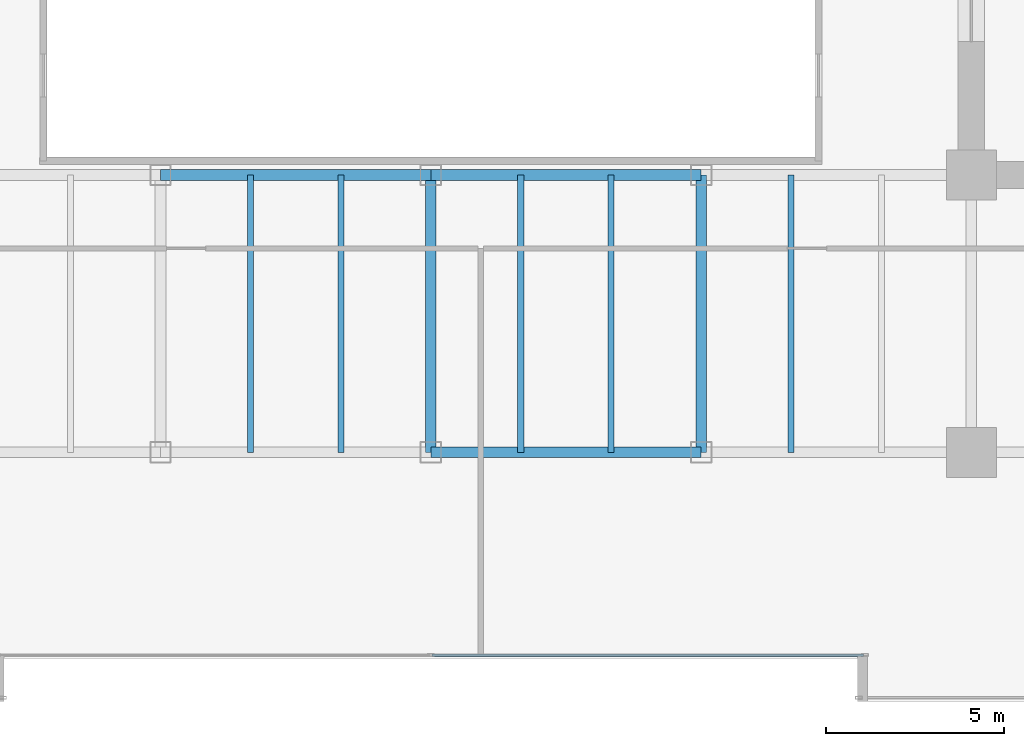
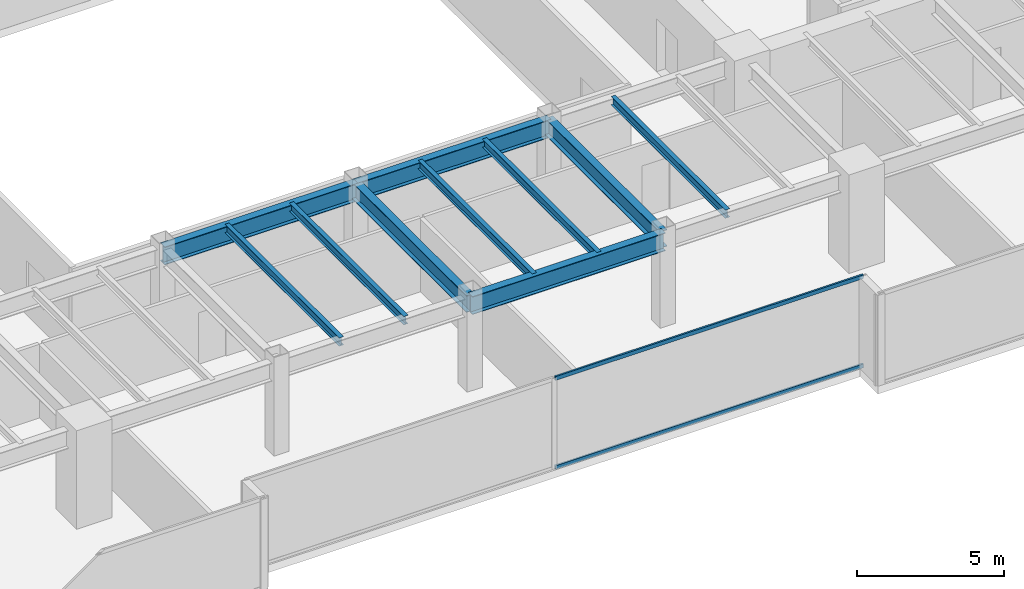
# One storey, part 9 of 35: 10 beams, 2 members, 1 element without a shape of its own.
"""IFC4 building model written with IfcOpenShell, lengths in metres."""

from ifc_helpers import new_model, si_unit, direction, frame, origin, origin_2d, place, context, subcontext, project, spatial, hollow_rectangle, i_section, extrude, source, transform, mapped, material, layer, layer_set, material_profile, profile_set, type_object, type_shapes, element, aggregate, save


model = new_model("IFC4")

# Units and contexts
model_context = context("Model", 3, precision=1e-05, world=origin(), true_north=direction((0.0, 1.0)))
body_context = subcontext(model_context, "Body", "Model", "MODEL_VIEW")
ifc_project = project(units=[si_unit("LENGTHUNIT", "METRE"), si_unit("AREAUNIT", "SQUARE_METRE"), si_unit("VOLUMEUNIT", "CUBIC_METRE"), si_unit("PLANEANGLEUNIT", "RADIAN"), si_unit("MASSUNIT", "GRAM", prefix="KILO")], contexts=[model_context])

# Site, building, storey
site_placement = place(None, origin())
site = spatial("IfcSite", under=ifc_project, at=site_placement, CompositionType="ELEMENT")
building_placement = place(site_placement, origin())
building = spatial("IfcBuilding", under=site, at=building_placement, Name="Haelvirn Gate Laboratories", CompositionType="ELEMENT")
storey_placement = place(building_placement, frame((0.0, 0.0, 45.699951171875)))
storey = spatial("IfcBuildingStorey", under=building, at=storey_placement, Name="L11", CompositionType="ELEMENT", Elevation=45.699951171875)

# Beams
ifc_material_1 = material(Name="Steel SM355", Category="steel")
ifc_material_profile_1 = material_profile(ifc_material_1, i_section(OverallWidth=0.300048828125, OverallDepth=0.699951171875, WebThickness=0.012939453125, FlangeThickness=0.02392578125, at=origin_2d()), Name="H-700x300x13x24")
ifc_profile_set_1 = profile_set([ifc_material_profile_1], Name="Steel SM355")
beam_type_1 = type_object("IfcBeamType", Name="BM-G-700", PredefinedType="BEAM", material=ifc_profile_set_1)
shared_shape_1 = source(origin(), body_context, "Body", "SweptSolid", [
    extrude(i_section(OverallWidth=0.300048828125, OverallDepth=0.699951171875, WebThickness=0.012939453125, FlangeThickness=0.02392578125, at=origin_2d()), origin(), (0.0, 0.0, 1.0), 7.800048828125),
])
type_shapes(beam_type_1, [shared_shape_1])
for number, where, z_axis, x_axis, name in (
    (1, (37.39990234375, 7.0, 3.429931640625), (0.0, 1.0, 0.0), (-1.0, 0.0, 0.0), "L11 Frame Girder X37.4 (7.0-14.8)"),
    (2, (45.0, 7.0, 3.429931640625), (0.0, 1.0, 0.0), (-1.0, 0.0, 0.0), "L11 Frame Girder X45.0 (7.0-14.8)"),
):
    element("IfcBeam", number, at=place(storey_placement, frame(where, z_axis=z_axis, x_axis=x_axis)), inside=storey, type_object=beam_type_1, Name=name, PredefinedType="BEAM", context=body_context, shape_type="MappedRepresentation", body=[
        mapped(shared_shape_1, transform((0.0, 0.0, 0.0), scale=1.0)),
    ])
ifc_material_profile_2 = material_profile(ifc_material_1, i_section(OverallWidth=0.300048828125, OverallDepth=0.75, WebThickness=0.013916015625, FlangeThickness=0.02392578125, at=origin_2d()), Name="H-750x300x14x24")
ifc_profile_set_2 = profile_set([ifc_material_profile_2], Name="Steel SM355")
beam_type_2 = type_object("IfcBeamType", Name="BM-G-750", PredefinedType="BEAM", material=ifc_profile_set_2)
shared_shape_2 = source(origin(), body_context, "Body", "SweptSolid", [
    extrude(i_section(OverallWidth=0.300048828125, OverallDepth=0.75, WebThickness=0.013916015625, FlangeThickness=0.02392578125, at=origin_2d()), origin(), (0.0, 0.0, 1.0), 7.60009765625),
])
for number, where, z_axis, x_axis, name in (
    (3, (37.39990234375, 7.0, 3.405029296875), (1.0, 0.0, 0.0), (0.0, 1.0, 0.0), "L11 Primary Girder Y7.0 (37.4-45.0)"),
    (4, (37.39990234375, 14.800048828125, 3.405029296875), (1.0, 0.0, 0.0), (0.0, 1.0, 0.0), "L11 Primary Girder Y14.8 (37.4-45.0)"),
):
    element("IfcBeam", number, at=place(storey_placement, frame(where, z_axis=z_axis, x_axis=x_axis)), inside=storey, type_object=beam_type_2, Name=name, PredefinedType="BEAM", context=body_context, shape_type="MappedRepresentation", body=[
        mapped(shared_shape_2, transform((0.0, 0.0, 0.0), scale=1.0)),
    ])
shared_shape_3 = source(origin(), body_context, "Body", "SweptSolid", [
    extrude(i_section(OverallWidth=0.300048828125, OverallDepth=0.75, WebThickness=0.013916015625, FlangeThickness=0.02392578125, at=origin_2d()), origin(), (0.0, 0.0, 1.0), 7.599853515625),
])
type_shapes(beam_type_2, [shared_shape_2, shared_shape_3])
beam_placement = place(storey_placement, frame((29.800048828125, 14.800048828125, 3.405029296875), z_axis=(1.0, 0.0, 0.0), x_axis=(0.0, 1.0, 0.0)))
element("IfcBeam", 5, at=beam_placement, inside=storey, type_object=beam_type_2, Name="L11 Primary Girder Y14.8 (29.8-37.4)", PredefinedType="BEAM", context=body_context, shape_type="MappedRepresentation", body=[
    mapped(shared_shape_3, transform((0.0, 0.0, 0.0), scale=1.0)),
])
ifc_material_profile_3 = material_profile(ifc_material_1, i_section(OverallWidth=0.175048828125, OverallDepth=0.35009765625, WebThickness=0.007080078125, FlangeThickness=0.010986328125, at=origin_2d()), Name="H-350x175x7x11")
ifc_profile_set_3 = profile_set([ifc_material_profile_3], Name="Steel SM355")
beam_type_3 = type_object("IfcBeamType", Name="BM-J-350", PredefinedType="JOIST", material=ifc_profile_set_3)
shared_shape_4 = source(origin(), body_context, "Body", "SweptSolid", [
    extrude(i_section(OverallWidth=0.175048828125, OverallDepth=0.35009765625, WebThickness=0.007080078125, FlangeThickness=0.010986328125, at=origin_2d()), origin(), (0.0, 0.0, 1.0), 7.800048828125),
])
type_shapes(beam_type_3, [shared_shape_4])
for number, where, z_axis, x_axis, name in (
    (6, (32.330078125, 7.0, 3.60498046875), (0.0, 1.0, 0.0), (-1.0, 0.0, 0.0), "L11 Composite Lab Joist South X32.33"),
    (7, (34.8701171875, 7.0, 3.60498046875), (0.0, 1.0, 0.0), (-1.0, 0.0, 0.0), "L11 Composite Lab Joist South X34.87"),
    (8, (39.929931640625, 7.0, 3.60498046875), (0.0, 1.0, 0.0), (-1.0, 0.0, 0.0), "L11 Composite Lab Joist South X39.93"),
    (9, (42.469970703125, 7.0, 3.60498046875), (0.0, 1.0, 0.0), (-1.0, 0.0, 0.0), "L11 Composite Lab Joist South X42.47"),
    (10, (47.530029296875, 7.0, 3.60498046875), (0.0, 1.0, 0.0), (-1.0, 0.0, 0.0), "L11 Composite Lab Joist South X47.53"),
):
    element("IfcBeam", number, at=place(storey_placement, frame(where, z_axis=z_axis, x_axis=x_axis)), inside=storey, type_object=beam_type_3, Name=name, PredefinedType="JOIST", context=body_context, shape_type="MappedRepresentation", body=[
        mapped(shared_shape_4, transform((0.0, 0.0, 0.0), scale=1.0)),
    ])

# Curtain wall, members
ifc_material_2 = material(Name="Anodised bronze unitised aluminium & triple low-E glass", Category="aluminium")
ifc_layer = layer(ifc_material_2, 0.18408203125, Name="CW-SYS-2")
ifc_layer_set = layer_set([ifc_layer], Name="Anodised bronze unitised aluminium & triple low-E glass")
curtain_wall_type = type_object("IfcCurtainWallType", Name="CW-SYS-2", PredefinedType="NOTDEFINED", material=ifc_layer_set)
curtain_wall_placement = place(storey_placement, origin())
curtain_wall = element("IfcCurtainWall", 11, at=curtain_wall_placement, inside=storey, type_object=curtain_wall_type, Name="L11 Unitised Curtain Wall CW-L11-P0-E02-1", PredefinedType="NOTDEFINED")
ifc_material_3 = material(Name="Extruded aluminium 6063-T6 (anodised bronze)", Category="aluminium")
ifc_material_profile_4 = material_profile(ifc_material_3, hollow_rectangle(XDim=0.070068359375, YDim=0.159912109375, WallThickness=0.0048828125, at=origin_2d()), Name="CWT-160x70x5")
ifc_profile_set_4 = profile_set([ifc_material_profile_4], Name="Extruded aluminium 6063-T6 (anodised bronze)")
member_type = type_object("IfcMemberType", Name="CWT-T160", PredefinedType="USERDEFINED", material=ifc_profile_set_4)
shared_shape_5 = source(origin(), body_context, "Body", "SweptSolid", [
    extrude(hollow_rectangle(XDim=0.070068359375, YDim=0.159912109375, WallThickness=0.0048828125, at=origin_2d()), origin(), (0.0, 0.0, 1.0), 12.12744140625),
])
type_shapes(member_type, [shared_shape_5])
member_1_placement = place(storey_placement, frame((37.4375, 1.300048828125, 0.03515625), z_axis=(1.0, 0.0, 0.0), x_axis=(0.0, 1.0, 0.0)))
member_1 = element("IfcMember", 12, at=member_1_placement, type_object=member_type, Name="CW2 transom 2.1", ObjectType="TRANSOM", PredefinedType="USERDEFINED", context=body_context, shape_type="MappedRepresentation", body=[
    mapped(shared_shape_5, transform((0.0, 0.0, 0.0), scale=1.0)),
])
member_2_placement = place(storey_placement, frame((37.4375, 1.300048828125, 3.7451171875), z_axis=(1.0, 0.0, 0.0), x_axis=(0.0, 1.0, 0.0)))
member_2 = element("IfcMember", 13, at=member_2_placement, type_object=member_type, Name="CW2 transom 2.2", ObjectType="TRANSOM", PredefinedType="USERDEFINED", context=body_context, shape_type="MappedRepresentation", body=[
    mapped(shared_shape_5, transform((0.0, 0.0, 0.0), scale=1.0)),
])
aggregate(curtain_wall, [member_1, member_2])

save(model, "model.ifc")
